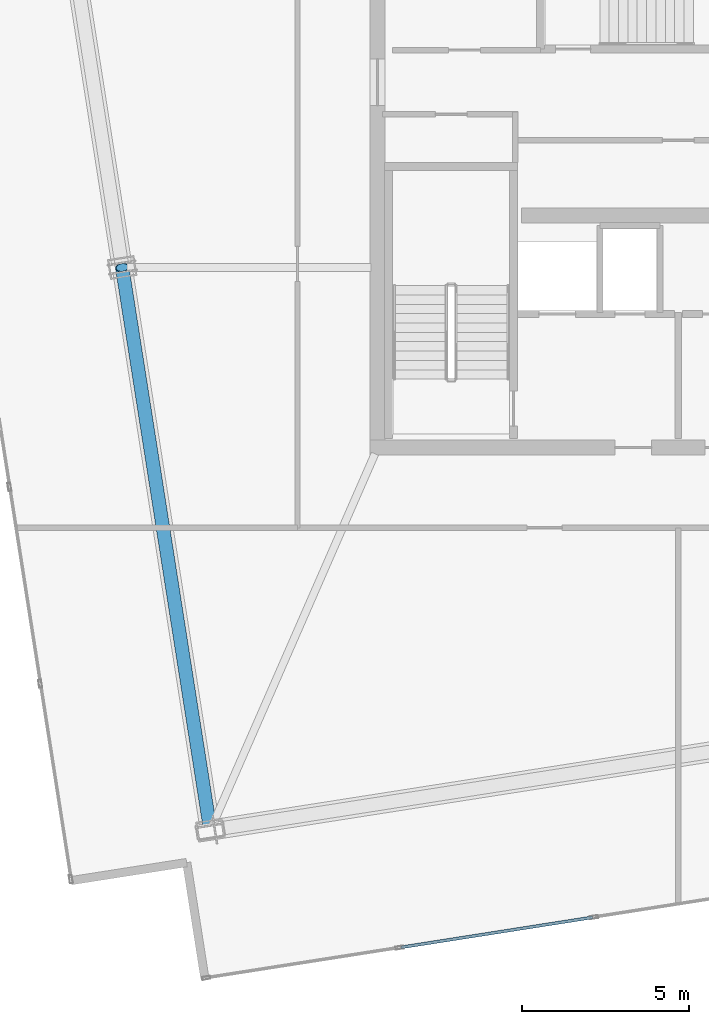
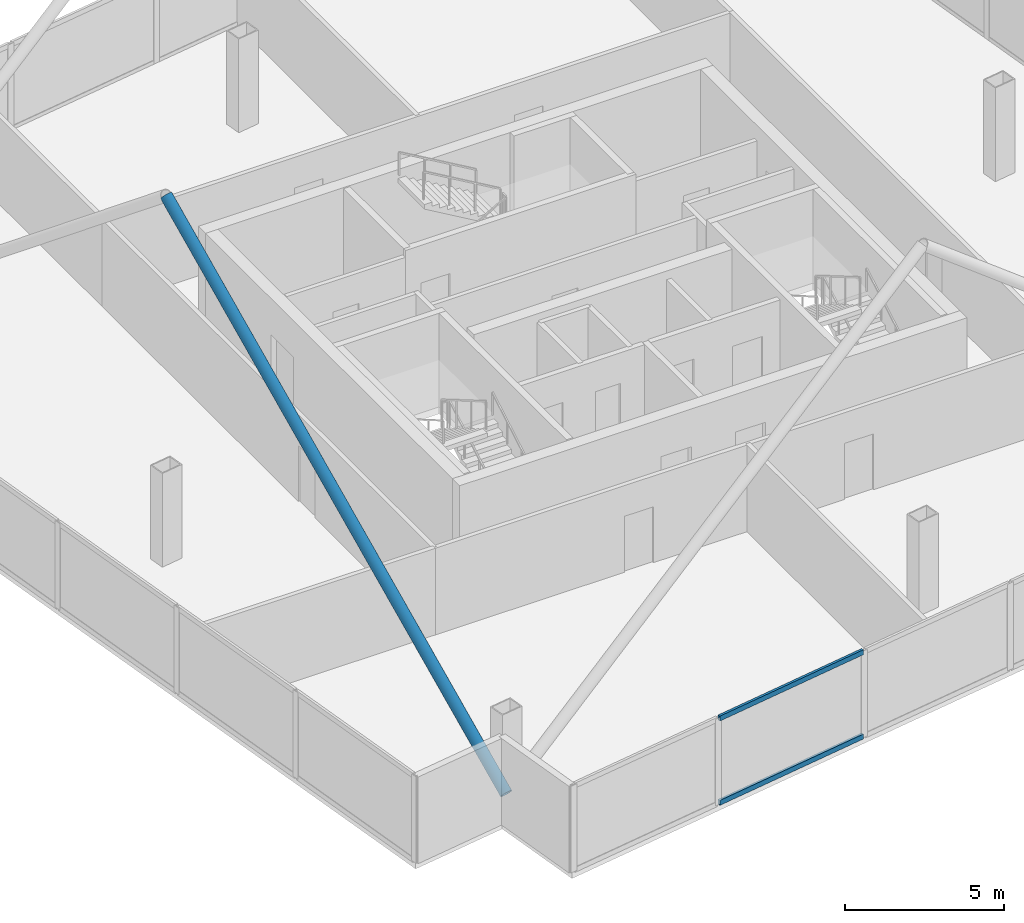
# One storey, part 3 of 21: 3 members, 1 element without a shape of its own.
"""IFC4 building model written with IfcOpenShell, lengths in metres."""

import ifcopenshell
import ifcopenshell.guid

model = None  # the IFC model being written
_history = None  # IfcOwnerHistory: only IFC2X3 demands one
_inside = {}  # id of a spatial element -> (the spatial element, [elements in it])
_under = {}  # id of a project, library or spatial element -> (it, [spatial elements below it])
_declared = {}  # id of a project -> (the project, [libraries it declares])
_typed = {}  # id of a type object -> (the type object, [elements of that type])
_made_of = {}  # id of a material, layer set ... -> (it, [elements and type objects made of it])


def new_model(schema):
    """Start an empty IFC model of exactly this schema.

    Asked for "IFC4X3", IfcOpenShell would pick the latest addendum, in which some entities
    have other attributes; the version numbers below select the first issue.
    IFC2X3 requires an IfcOwnerHistory on every rooted entity: one is made here for all.
    """
    global model, _history
    if schema == "IFC4X3":
        model = ifcopenshell.file(schema_version=(4, 3, 0, 0))
    else:
        model = ifcopenshell.file(schema=schema)
    _inside.clear()
    _under.clear()
    _declared.clear()
    _typed.clear()
    _made_of.clear()
    _history = None
    if model.schema == "IFC2X3":
        org = make("IfcOrganization", Name="unknown")
        user = make(
            "IfcPersonAndOrganization",
            ThePerson=make("IfcPerson", FamilyName="unknown"),
            TheOrganization=org,
        )
        app = make(
            "IfcApplication",
            ApplicationDeveloper=org,
            Version="unknown",
            ApplicationFullName="unknown",
            ApplicationIdentifier="unknown",
        )
        _history = make(
            "IfcOwnerHistory",
            OwningUser=user,
            OwningApplication=app,
            ChangeAction="ADDED",
            CreationDate=0,
        )
    return model


def make(cls, **values):
    """One entity of the class cls with the attributes given. An attribute that is None is left unset."""
    return model.create_entity(
        cls, **{name: value for name, value in values.items() if value is not None}
    )


def rooted(cls, **values):
    """An entity with a GlobalId (a new one), such as an element, a storey or a relation."""
    return make(cls, GlobalId=ifcopenshell.guid.new(), OwnerHistory=_history, **values)


def si_unit(unit_type, name, prefix=None):
    """IfcSIUnit, for example si_unit("LENGTHUNIT", "METRE", prefix="MILLI")."""
    return make("IfcSIUnit", UnitType=unit_type, Prefix=prefix, Name=name)


def assignment(units):
    """IfcUnitAssignment: the units of a project."""
    return None if units is None else make("IfcUnitAssignment", Units=units)


def point(xyz):
    """IfcCartesianPoint."""
    return None if xyz is None else make("IfcCartesianPoint", Coordinates=xyz)


def direction(xyz):
    """IfcDirection."""
    return None if xyz is None else make("IfcDirection", DirectionRatios=xyz)


def frame(location, z_axis=None, x_axis=None):
    """IfcAxis2Placement3D, a coordinate frame: its origin and axes. An axis left out is left unset."""
    return make(
        "IfcAxis2Placement3D",
        Location=point(location),
        Axis=direction(z_axis),
        RefDirection=direction(x_axis),
    )


def frame_2d(location, x_axis=None):
    """IfcAxis2Placement2D, a coordinate frame in the plane: its origin and x axis."""
    return make(
        "IfcAxis2Placement2D", Location=point(location), RefDirection=direction(x_axis)
    )


def origin():
    """The frame at (0, 0, 0) with its axes left unset."""
    return frame((0.0, 0.0, 0.0))


def origin_2d():
    """The frame at (0, 0) in the plane with its x axis left unset."""
    return frame_2d((0.0, 0.0))


def place(relative_to, where):
    """IfcLocalPlacement: puts the frame where relative to a parent placement (None: the world)."""
    return make(
        "IfcLocalPlacement", PlacementRelTo=relative_to, RelativePlacement=where
    )


def context(
    kind, dimensions, precision=None, world=None, true_north=None, identifier=None
):
    """IfcGeometricRepresentationContext, for example the 3D "Model" context."""
    return make(
        "IfcGeometricRepresentationContext",
        ContextIdentifier=identifier,
        ContextType=kind,
        CoordinateSpaceDimension=dimensions,
        Precision=precision,
        WorldCoordinateSystem=world,
        TrueNorth=true_north,
    )


def subcontext(parent, identifier, kind, view, scale=None):
    """IfcGeometricRepresentationSubContext, for example "Body" below "Model"."""
    return make(
        "IfcGeometricRepresentationSubContext",
        ContextIdentifier=identifier,
        ContextType=kind,
        ParentContext=parent,
        TargetScale=scale,
        TargetView=view,
    )


def project(units=None, contexts=None):
    """IfcProject with its units and contexts."""
    return rooted(
        "IfcProject",
        Name="project",
        RepresentationContexts=contexts,
        UnitsInContext=assignment(units),
    )


def spatial(cls, under=None, at=None, **own):
    """A site, building, storey or space (cls), placed at a placement, below another one or the project."""
    s = rooted(cls, ObjectPlacement=at, **own)
    if under is not None:
        _under.setdefault(under.id(), (under, []))[1].append(s)
    return s


def profile(cls, at=None, kind="AREA", **sizes):
    """A parametric profile (cls). Its sizes go by their IFC names, for example OverallWidth=200.0."""
    return make(cls, ProfileType=kind, Position=at, **sizes)


def hollow_rectangle(**sizes):
    """IfcRectangleHollowProfileDef."""
    return profile("IfcRectangleHollowProfileDef", **sizes)


def hollow_circle(**sizes):
    """IfcCircleHollowProfileDef."""
    return profile("IfcCircleHollowProfileDef", **sizes)


def extrude(swept, where, along, depth):
    """IfcExtrudedAreaSolid: the profile swept, set in the frame where, extruded along a direction by depth."""
    return make(
        "IfcExtrudedAreaSolid",
        SweptArea=swept,
        Position=where,
        ExtrudedDirection=direction(along),
        Depth=depth,
    )


def shape(context_of_items, identifier, shape_type, items):
    """IfcShapeRepresentation: the items that make up one representation, for example the "Body"."""
    return make(
        "IfcShapeRepresentation",
        ContextOfItems=context_of_items,
        RepresentationIdentifier=identifier,
        RepresentationType=shape_type,
        Items=items,
    )


def material(Name=None, Category=None):
    """IfcMaterial."""
    return make("IfcMaterial", Name=Name, Category=Category)


def material_profile(
    of_material, cross_section, Name=None, Category=None, Priority=None
):
    """IfcMaterialProfile: a cross section and its material."""
    return make(
        "IfcMaterialProfile",
        Name=Name,
        Material=of_material,
        Profile=cross_section,
        Priority=Priority,
        Category=Category,
    )


def profile_set(profiles, Name=None, composite=None):
    """IfcMaterialProfileSet."""
    return make(
        "IfcMaterialProfileSet",
        Name=Name,
        MaterialProfiles=profiles,
        CompositeProfile=composite,
    )


def made_of(thing, what):
    """Note that an element or type object is made of a material, layer set ...; save() writes the relation."""
    if what is not None:
        _made_of.setdefault(what.id(), (what, []))[1].append(thing)
    return thing


def type_object(cls, material=None, **own):
    """A type object (cls), such as IfcWallType, which elements share."""
    return made_of(rooted(cls, **own), material)


def element(
    cls,
    number,
    at=None,
    inside=None,
    cuts=None,
    type_object=None,
    material=None,
    context=None,
    identifier="Body",
    shape_type=None,
    held_by="IfcProductDefinitionShape",
    body=None,
    shapes=None,
    **own,
):
    """One element of the class cls, such as IfcWall. Its Tag is "e" and its number.

    at: its placement. inside: the storey or other place that contains it. cuts: it is an
    opening in that element (IfcRelVoidsElement). A single representation is given by context,
    identifier, shape_type and body (its items); several are given by shapes. held_by: the class
    of the entity that holds the representations. save() writes the other relations.
    """
    e = rooted(cls, Tag="e%d" % number, ObjectPlacement=at, **own)
    if body is not None:
        shapes = [shape(context, identifier, shape_type, body)]
    if shapes is not None:
        e.Representation = make(held_by, Representations=shapes)
    if inside is not None:
        _inside.setdefault(inside.id(), (inside, []))[1].append(e)
    if cuts is not None:
        rooted(
            "IfcRelVoidsElement", RelatingBuildingElement=cuts, RelatedOpeningElement=e
        )
    if type_object is not None:
        _typed.setdefault(type_object.id(), (type_object, []))[1].append(e)
    return made_of(e, material)


def aggregate(whole, parts):
    """IfcRelAggregates: a whole, such as a stair, and the parts it consists of."""
    return rooted("IfcRelAggregates", RelatingObject=whole, RelatedObjects=parts)


def save(model, path):
    """Write the relations noted so far, then the file.

    IfcRelAggregates (storeys below a building ...), IfcRelContainedInSpatialStructure (elements
    in a storey), IfcRelDefinesByType, IfcRelAssociatesMaterial and IfcRelDeclares: one each for
    every whole, place, type object, material and project.
    """
    for whole, parts in _under.values():
        aggregate(whole, parts)
    for where, things in _inside.values():
        rooted(
            "IfcRelContainedInSpatialStructure",
            RelatedElements=things,
            RelatingStructure=where,
        )
    for kind, things in _typed.values():
        rooted("IfcRelDefinesByType", RelatedObjects=things, RelatingType=kind)
    for what, things in _made_of.values():
        rooted("IfcRelAssociatesMaterial", RelatedObjects=things, RelatingMaterial=what)
    for by, libraries in _declared.values():
        rooted("IfcRelDeclares", RelatingContext=by, RelatedDefinitions=libraries)
    model.write(path)


model = new_model("IFC4")

# Units and contexts
model_context = context("Model", 3, precision=1e-05, world=origin(), true_north=direction((0.0, 1.0)))
body_context = subcontext(model_context, "Body", "Model", "MODEL_VIEW")
ifc_project = project(units=[si_unit("LENGTHUNIT", "METRE"), si_unit("AREAUNIT", "SQUARE_METRE"), si_unit("VOLUMEUNIT", "CUBIC_METRE"), si_unit("PLANEANGLEUNIT", "RADIAN"), si_unit("MASSUNIT", "GRAM", prefix="KILO")], contexts=[model_context])

# Site, building, storey
site_placement = place(None, origin())
site = spatial("IfcSite", under=ifc_project, at=site_placement, CompositionType="ELEMENT")
building_placement = place(site_placement, origin())
building = spatial("IfcBuilding", under=site, at=building_placement, Name="Haldenkirk Collegiate Tower", CompositionType="ELEMENT")
storey_placement = place(building_placement, frame((0.0, 0.0, 360.60009765625)))
storey = spatial("IfcBuildingStorey", under=building, at=storey_placement, Name="L91", CompositionType="ELEMENT", Elevation=360.60009765625)

# Curtain wall, members
ifc_material_1 = material(Name="Anodised architectural bronze aluminium", Category="aluminium")
curtain_wall_type = type_object("IfcCurtainWallType", Name="CW-SYS6-CROWN", PredefinedType="USERDEFINED", material=ifc_material_1)
curtain_wall_placement = place(storey_placement, origin())
curtain_wall = element("IfcCurtainWall", 1, at=curtain_wall_placement, inside=storey, type_object=curtain_wall_type, Name="L91 Closed crown ring ceramic-fritted bronze screen curtain wall", ObjectType="UNITISED CURTAIN WALL", PredefinedType="USERDEFINED")
ifc_material_profile_1 = material_profile(ifc_material_1, hollow_rectangle(XDim=0.090087890625, YDim=0.18994140625, WallThickness=0.0048828125, at=origin_2d()), Name="CW-TRN-06")
ifc_profile_set_1 = profile_set([ifc_material_profile_1], Name="Anodised architectural bronze aluminium")
member_type_1 = type_object("IfcMemberType", Name="CW-TRN-06", PredefinedType="USERDEFINED", material=ifc_profile_set_1)
member_1_placement = place(storey_placement, frame((33.437255859375, 3.93798828125, 0.044921875), z_axis=(-0.987958095237, -0.154721692257, 0.0), x_axis=(0.154721692257, -0.987958095237, 0.0)))
member_1 = element("IfcMember", 2, at=member_1_placement, type_object=member_type_1, Name="CW-06 transom 5.1", ObjectType="TRANSOM", PredefinedType="USERDEFINED", context=body_context, shape_type="SweptSolid", body=[
    extrude(hollow_rectangle(XDim=0.090087890625, YDim=0.18994140625, WallThickness=0.0048828125, at=origin_2d()), origin(), (0.0, 0.0, 1.0), 5.81005859375),
])
member_2_placement = place(storey_placement, frame((33.437255859375, 3.93798828125, 3.284912109375), z_axis=(-0.987958095237, -0.154721692257, 0.0), x_axis=(0.154721692257, -0.987958095237, 0.0)))
member_2 = element("IfcMember", 3, at=member_2_placement, type_object=member_type_1, Name="CW-06 transom 5.2", ObjectType="TRANSOM", PredefinedType="USERDEFINED", context=body_context, shape_type="SweptSolid", body=[
    extrude(hollow_rectangle(XDim=0.090087890625, YDim=0.18994140625, WallThickness=0.0048828125, at=origin_2d()), origin(), (0.0, 0.0, 1.0), 5.81005859375),
])
aggregate(curtain_wall, [member_1, member_2])

# Member
ifc_material_2 = material(Name="Steel ASTM A572 Grade 50", Category="steel")
ifc_material_profile_2 = material_profile(ifc_material_2, hollow_circle(Radius=0.202880859375, WallThickness=0.02001953125, at=origin_2d()), Name="CHS406X20")
ifc_profile_set_2 = profile_set([ifc_material_profile_2], Name="Steel ASTM A572 Grade 50")
member_type_2 = type_object("IfcMemberType", Name="MBR-CROWNBRACE-CHS406", PredefinedType="BRACE", material=ifc_profile_set_2)
member_3_placement = place(storey_placement, frame((21.99072265625, 6.54833984375, 0.25), z_axis=(-0.120607073182, 0.770143972352, 0.626364267618), x_axis=(-0.987958739178, -0.154717580393, 0.0)))
element("IfcMember", 4, at=member_3_placement, inside=storey, type_object=member_type_2, Name="Crown Ring Frame diagonal brace N2", PredefinedType="BRACE", context=body_context, shape_type="SweptSolid", body=[
    extrude(hollow_circle(Radius=0.202880859375, WallThickness=0.02001953125, at=origin_2d()), origin(), (0.0, 0.0, 1.0), 21.8720703125),
])

save(model, "model.ifc")
